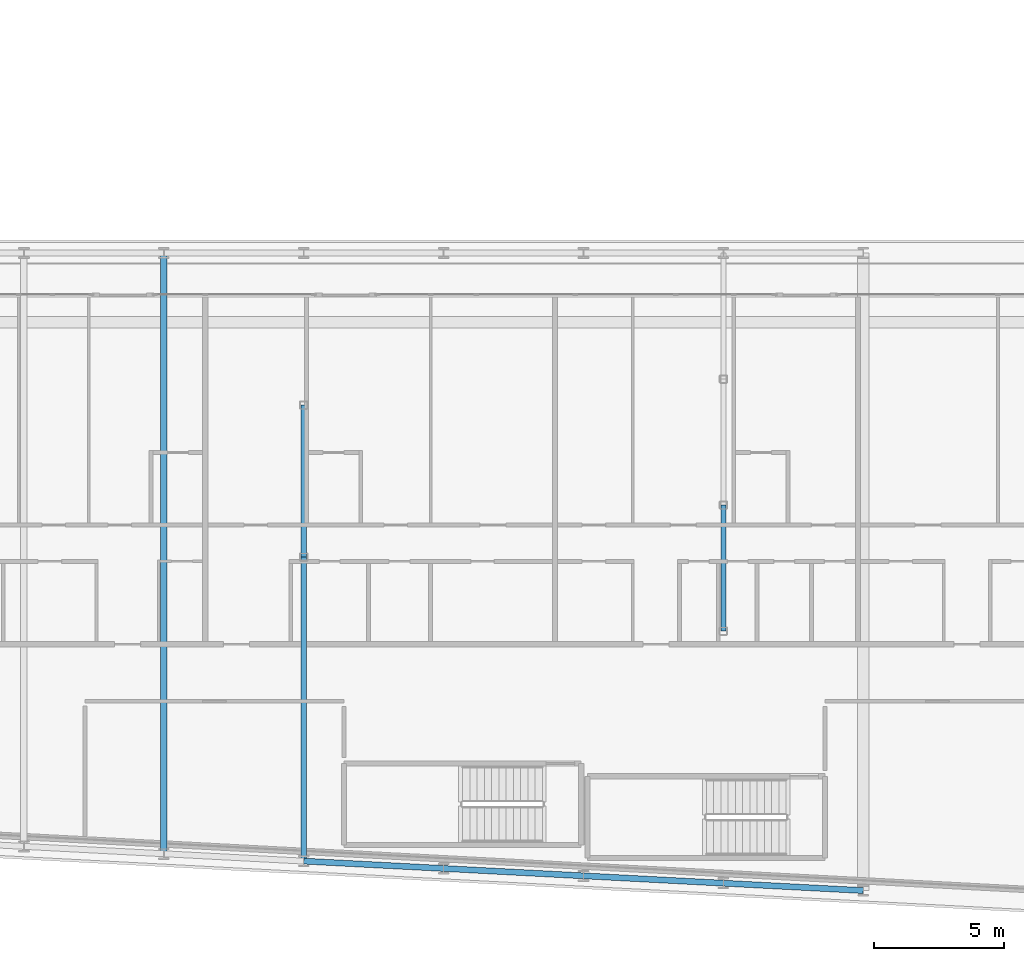
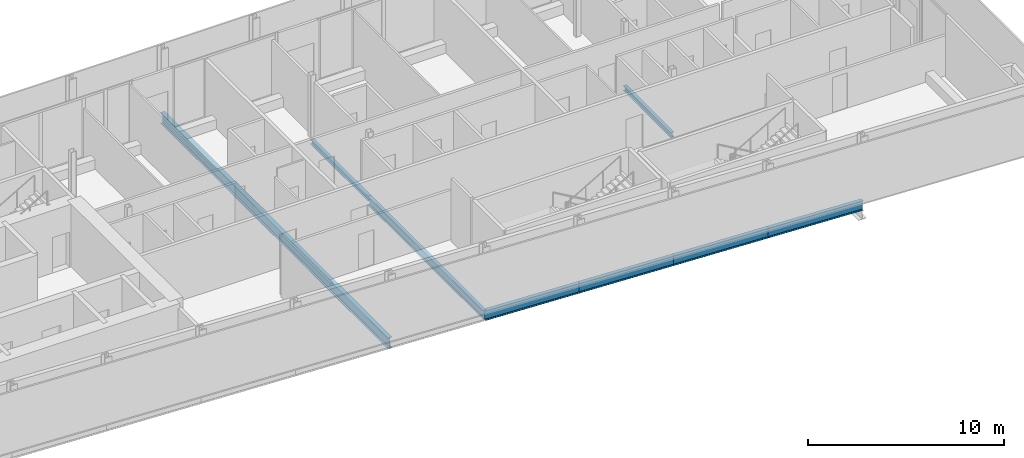
# One storey, part 7 of 28: 8 beams.
"""IFC4 building model written with IfcOpenShell, lengths in metres."""

from ifc_helpers import new_model, si_unit, direction, frame, origin, origin_2d, place, context, subcontext, project, spatial, i_section, extrude, material, material_profile, profile_set, type_object, element, save


model = new_model("IFC4")

# Units and contexts
model_context = context("Model", 3, precision=1e-05, world=origin(), true_north=direction((0.0, 1.0)))
body_context = subcontext(model_context, "Body", "Model", "MODEL_VIEW")
ifc_project = project(units=[si_unit("LENGTHUNIT", "METRE"), si_unit("AREAUNIT", "SQUARE_METRE"), si_unit("VOLUMEUNIT", "CUBIC_METRE"), si_unit("PLANEANGLEUNIT", "RADIAN"), si_unit("MASSUNIT", "GRAM", prefix="KILO")], contexts=[model_context])

# Site, building, storey
site_placement = place(None, origin())
site = spatial("IfcSite", under=ifc_project, at=site_placement, CompositionType="ELEMENT")
building_placement = place(site_placement, origin())
building = spatial("IfcBuilding", under=site, at=building_placement, Name="Kheshtan School and Residences Tower", CompositionType="ELEMENT")
storey_placement = place(building_placement, frame((0.0, 0.0, 191.60009765625)))
storey = spatial("IfcBuildingStorey", under=building, at=storey_placement, Name="L45", CompositionType="ELEMENT", Elevation=191.60009765625)

# Beams
ifc_material = material(Name="Steel ASTM A992 Grade 50", Category="steel")
ifc_material_profile_1 = material_profile(ifc_material, i_section(OverallWidth=0.202880859375, OverallDepth=0.302978515625, WebThickness=0.007568359375, FlangeThickness=0.01318359375, FilletRadius=0.009033203125, at=origin_2d()), Name="W310x60")
ifc_profile_set_1 = profile_set([ifc_material_profile_1], Name="Steel ASTM A992 Grade 50")
beam_type_1 = type_object("IfcBeamType", Name="Beam FB1 W310x60 ASTM A992 Grade 50", PredefinedType="BEAM", material=ifc_profile_set_1)
beam_1_placement = place(storey_placement, frame((85.39990234375, 31.0048828125, -0.301513671875), z_axis=(0.0, 1.0, 0.0), x_axis=(-1.0, 0.0, 0.0)))
element("IfcBeam", 1, at=beam_1_placement, inside=storey, type_object=beam_type_1, Name="Floor beam IC", PredefinedType="BEAM", context=body_context, shape_type="SweptSolid", body=[
    extrude(i_section(OverallWidth=0.202880859375, OverallDepth=0.302978515625, WebThickness=0.007568359375, FlangeThickness=0.01318359375, FilletRadius=0.009033203125, at=origin_2d()), origin(), (0.0, 0.0, 1.0), 4.865234375),
])
beam_2_placement = place(storey_placement, frame((69.199951171875, 33.863037109375, -0.301513671875), z_axis=(0.0, 1.0, 0.0), x_axis=(-1.0, 0.0, 0.0)))
element("IfcBeam", 2, at=beam_2_placement, inside=storey, type_object=beam_type_1, Name="Floor beam IC", PredefinedType="BEAM", context=body_context, shape_type="SweptSolid", body=[
    extrude(i_section(OverallWidth=0.202880859375, OverallDepth=0.302978515625, WebThickness=0.007568359375, FlangeThickness=0.01318359375, FilletRadius=0.009033203125, at=origin_2d()), origin(), (0.0, 0.0, 1.0), 5.868896484375),
])
ifc_material_profile_2 = material_profile(ifc_material, i_section(OverallWidth=0.208984375, OverallDepth=0.532958984375, WebThickness=0.01025390625, FlangeThickness=0.015625, FilletRadius=0.013916015625, at=origin_2d()), Name="W530x92")
ifc_profile_set_2 = profile_set([ifc_material_profile_2], Name="Steel ASTM A992 Grade 50")
beam_type_2 = type_object("IfcBeamType", Name="Beam FB4 W530x92 ASTM A992 Grade 50", PredefinedType="BEAM", material=ifc_profile_set_2)
beam_3_placement = place(storey_placement, frame((69.199951171875, 22.126953125, -0.41650390625), z_axis=(0.0, 1.0, 0.0), x_axis=(-1.0, 0.0, 0.0)))
element("IfcBeam", 3, at=beam_3_placement, inside=storey, type_object=beam_type_2, Name="Floor beam C014", PredefinedType="BEAM", context=body_context, shape_type="SweptSolid", body=[
    extrude(i_section(OverallWidth=0.208984375, OverallDepth=0.532958984375, WebThickness=0.01025390625, FlangeThickness=0.015625, FilletRadius=0.013916015625, at=origin_2d()), origin(), (0.0, 0.0, 1.0), 11.736083984375),
])
ifc_material_profile_3 = material_profile(ifc_material, i_section(OverallWidth=0.2529296875, OverallDepth=0.677978515625, WebThickness=0.01171875, FlangeThickness=0.016357421875, FilletRadius=0.0146484375, at=origin_2d()), Name="W690x125")
ifc_profile_set_3 = profile_set([ifc_material_profile_3], Name="Steel ASTM A992 Grade 50")
beam_type_3 = type_object("IfcBeamType", Name="Beam FB6 W690x125 ASTM A992 Grade 50", PredefinedType="BEAM", material=ifc_profile_set_3)
beam_4_placement = place(storey_placement, frame((63.800048828125, 45.60009765625, -0.489013671875), z_axis=(0.0, -1.0, 0.0), x_axis=(1.0, 0.0, 0.0)))
element("IfcBeam", 4, at=beam_4_placement, inside=storey, type_object=beam_type_3, Name="Floor beam C063", PredefinedType="BEAM", context=body_context, shape_type="SweptSolid", body=[
    extrude(i_section(OverallWidth=0.2529296875, OverallDepth=0.677978515625, WebThickness=0.01171875, FlangeThickness=0.016357421875, FilletRadius=0.0146484375, at=origin_2d()), origin(), (0.0, 0.0, 1.0), 23.189208984375),
])
ifc_material_profile_4 = material_profile(ifc_material, i_section(OverallWidth=0.22802734375, OverallDepth=0.60302734375, WebThickness=0.010498046875, FlangeThickness=0.014892578125, FilletRadius=0.013427734375, at=origin_2d()), Name="W610x101")
ifc_profile_set_4 = profile_set([ifc_material_profile_4], Name="Steel ASTM A992 Grade 50")
beam_type_4 = type_object("IfcBeamType", Name="Beam SP2 W610x101 ASTM A992 Grade 50", PredefinedType="BEAM", material=ifc_profile_set_4)
beam_5_placement = place(storey_placement, frame((90.800048828125, 20.989990234375, -0.45166015625), z_axis=(-0.998620571751, 0.05250670125, 0.0), x_axis=(-0.05250670125, -0.998620571751, 0.0)))
element("IfcBeam", 5, at=beam_5_placement, inside=storey, type_object=beam_type_4, Name="Spandrel beam C006-C008", PredefinedType="BEAM", context=body_context, shape_type="SweptSolid", body=[
    extrude(i_section(OverallWidth=0.22802734375, OverallDepth=0.60302734375, WebThickness=0.010498046875, FlangeThickness=0.014892578125, FilletRadius=0.013427734375, at=origin_2d()), origin(), (0.0, 0.0, 1.0), 5.40771484375),
])
for number, where, z_axis, x_axis, name in (
    (6, (85.39990234375, 21.27392578125, -0.45166015625), (-0.998618078766, 0.052554093665, 0.0), (-0.052554093665, -0.998618078766, 0.0), "Spandrel beam C008-C012"),
    (7, (80.0, 21.55810546875, -0.45166015625), (-0.998610961136, 0.052689166816, 0.0), (-0.052689166816, -0.998610961136, 0.0), "Spandrel beam C012-C013"),
):
    element("IfcBeam", number, at=place(storey_placement, frame(where, z_axis=z_axis, x_axis=x_axis)), inside=storey, type_object=beam_type_4, Name=name, PredefinedType="BEAM", context=body_context, shape_type="SweptSolid", body=[
        extrude(i_section(OverallWidth=0.22802734375, OverallDepth=0.60302734375, WebThickness=0.010498046875, FlangeThickness=0.014892578125, FilletRadius=0.013427734375, at=origin_2d()), origin(), (0.0, 0.0, 1.0), 5.407470703125),
    ])
beam_6_placement = place(storey_placement, frame((74.60009765625, 21.843017578125, -0.45166015625), z_axis=(-0.998620571751, 0.05250670125, 0.0), x_axis=(-0.05250670125, -0.998620571751, 0.0)))
element("IfcBeam", 8, at=beam_6_placement, inside=storey, type_object=beam_type_4, Name="Spandrel beam C013-C014", PredefinedType="BEAM", context=body_context, shape_type="SweptSolid", body=[
    extrude(i_section(OverallWidth=0.22802734375, OverallDepth=0.60302734375, WebThickness=0.010498046875, FlangeThickness=0.014892578125, FilletRadius=0.013427734375, at=origin_2d()), origin(), (0.0, 0.0, 1.0), 5.40771484375),
])

save(model, "model.ifc")
